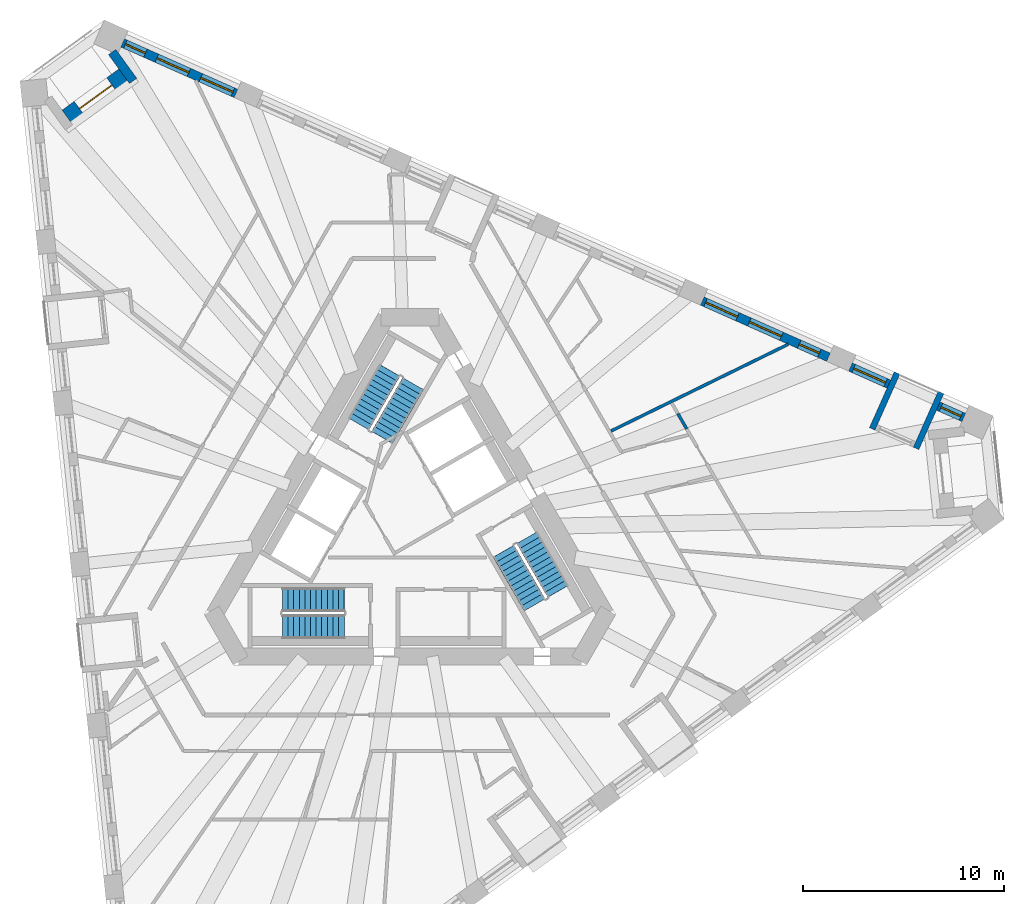
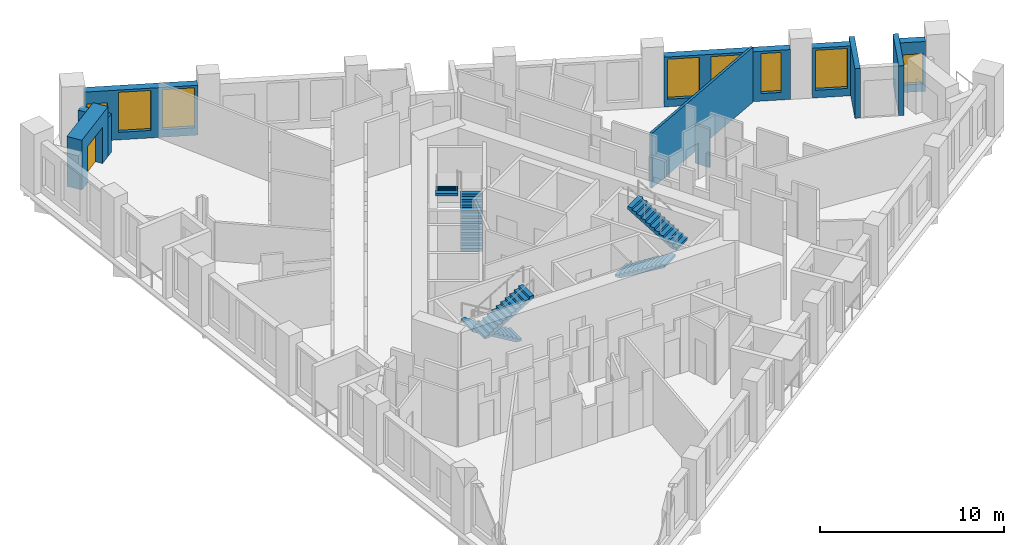
# One storey, part 9 of 14: 10 walls, 8 windows, 6 stair flights, 1 door, 9 openings, 3 elements without a shape of their own.
"""IFC4 building model written with IfcOpenShell, lengths in metres."""

from ifc_helpers import new_model, si_unit, direction, frame, frame_2d, origin, place, context, subcontext, project, spatial, polyline, rectangle, outline, extrude, material, layer, layer_set, type_object, element, fill, aggregate, save


model = new_model("IFC4")

# Units and contexts
model_context = context("Model", 3, precision=1e-05, world=origin(), true_north=direction((0.0, 1.0)))
body_context = subcontext(model_context, "Body", "Model", "MODEL_VIEW")
ifc_project = project(units=[si_unit("LENGTHUNIT", "METRE"), si_unit("AREAUNIT", "SQUARE_METRE"), si_unit("VOLUMEUNIT", "CUBIC_METRE"), si_unit("PLANEANGLEUNIT", "RADIAN"), si_unit("MASSUNIT", "GRAM", prefix="KILO")], contexts=[model_context])

# Site, building, storey
site_placement = place(None, origin())
site = spatial("IfcSite", under=ifc_project, at=site_placement, CompositionType="ELEMENT")
building_placement = place(site_placement, origin())
building = spatial("IfcBuilding", under=site, at=building_placement, Name="Tramontana Tower", CompositionType="ELEMENT")
storey_placement = place(building_placement, frame((0.0, 0.0, 182.800048828125)))
storey = spatial("IfcBuildingStorey", under=building, at=storey_placement, Name="L42", CompositionType="ELEMENT", Elevation=182.800048828125)

# Wall, opening, window
ifc_material_1 = material(Name="Precast concrete 60 MPa", Category="concrete")
ifc_layer_1 = layer(ifc_material_1, 0.449951171875)
ifc_layer_set_1 = layer_set([ifc_layer_1], Name="Precast concrete 60 MPa, 450 mm")
wall_type_1 = type_object("IfcWallType", Name="EW1 Stone-faced precast wall 450", PredefinedType="SOLIDWALL", material=ifc_layer_set_1)
wall_1_placement = place(storey_placement, frame((27.604736328125, 5.57958984375, 0.0), z_axis=(0.0, 0.0, 1.0), x_axis=(-0.913558681389, 0.406706940756, 0.0)))
wall_1 = element("IfcWall", 1, at=wall_1_placement, inside=storey, type_object=wall_type_1, Name="External wall L42 face 2 bay 1", PredefinedType="SOLIDWALL", context=body_context, shape_type="SweptSolid", body=[
    extrude(rectangle(XDim=1.39453125, YDim=0.449951171875, at=frame_2d((0.697265625, 0.0))), origin(), (0.0, 0.0, 1.0), 3.300048828125),
])
opening_1_placement = place(wall_1_placement, frame((0.147216796875, 0.0, 0.5)))
opening_1 = element("IfcOpeningElement", 2, at=opening_1_placement, cuts=wall_1, Name="Opening N2L", PredefinedType="OPENING", context=body_context, shape_type="SweptSolid", body=[
    extrude(rectangle(XDim=1.10009765625, YDim=2.0, at=frame_2d((0.550048828125, 1.0))), frame((0.0, 0.23486328125, 0.0), z_axis=(0.0, -1.0, 0.0), x_axis=(1.0, 0.0, 0.0)), (0.0, 0.0, 1.0), 0.469970703125),
])
ifc_material_2 = material(Name="Aluminum frame, double glazing unit", Category="aluminium")
window_type_1 = type_object("IfcWindowType", Name="N2L Window 1.1 x 2", PartitioningType="SINGLE_PANEL", PredefinedType="WINDOW", material=ifc_material_2)
window_1_placement = place(opening_1_placement, origin())
window_1 = element("IfcWindow", 3, at=window_1_placement, inside=storey, type_object=window_type_1, Name="Window N2L L42 face 2 module 1", OverallHeight=2.0, OverallWidth=1.10009765625, PartitioningType="SINGLE_PANEL", PredefinedType="WINDOW", context=body_context, shape_type="SweptSolid", body=[
    extrude(rectangle(XDim=1.10009765625, YDim=2.0, at=frame_2d((0.550048828125, 1.0))), frame((0.0, 0.030029296875, 0.0), z_axis=(0.0, -1.0, 0.0), x_axis=(1.0, 0.0, 0.0)), (0.0, 0.0, 1.0), 0.06005859375),
])
fill(opening_1, window_1)

wall_2_placement = place(storey_placement, frame((23.86962890625, 7.242431640625, 0.0), z_axis=(0.0, 0.0, 1.0), x_axis=(-0.913513282906, 0.406808901026, 0.0)))
wall_2 = element("IfcWall", 4, at=wall_2_placement, inside=storey, type_object=wall_type_1, Name="External wall L42 face 2 bay 1", PredefinedType="SOLIDWALL", context=body_context, shape_type="SweptSolid", body=[
    extrude(rectangle(XDim=2.094482421875, YDim=0.449951171875, at=frame_2d((1.04736328125, 0.0))), origin(), (0.0, 0.0, 1.0), 3.300048828125),
])
opening_2_placement = place(wall_2_placement, frame((0.172119140625, 0.0, 0.5)))
opening_2 = element("IfcOpeningElement", 5, at=opening_2_placement, cuts=wall_2, Name="Opening M2", PredefinedType="OPENING", context=body_context, shape_type="SweptSolid", body=[
    extrude(rectangle(XDim=1.75, YDim=2.64990234375, at=frame_2d((0.875, 1.324951171875))), frame((0.0, 0.23486328125, 0.0), z_axis=(0.0, -1.0, 0.0), x_axis=(1.0, 0.0, 0.0)), (0.0, 0.0, 1.0), 0.469970703125),
])
ifc_material_3 = material(Name="Aluminum frame, double glazing unit", Category="aluminium")
window_type_2 = type_object("IfcWindowType", Name="M2 Window 1.75 x 2.65", PartitioningType="SINGLE_PANEL", PredefinedType="WINDOW", material=ifc_material_3)
window_2_placement = place(opening_2_placement, origin())
window_2 = element("IfcWindow", 6, at=window_2_placement, inside=storey, type_object=window_type_2, Name="Window M2 L42 face 2 module 3", OverallHeight=2.64990234375, OverallWidth=1.75, PartitioningType="SINGLE_PANEL", PredefinedType="WINDOW", context=body_context, shape_type="SweptSolid", body=[
    extrude(rectangle(XDim=1.75, YDim=2.64990234375, at=frame_2d((0.875, 1.324951171875))), frame((0.0, 0.030029296875, 0.0), z_axis=(0.0, -1.0, 0.0), x_axis=(1.0, 0.0, 0.0)), (0.0, 0.0, 1.0), 0.06005859375),
])
fill(opening_2, window_2)

# Wall, openings, windows
wall_3_placement = place(storey_placement, frame((20.860107421875, 8.58251953125, 0.0), z_axis=(0.0, 0.0, 1.0), x_axis=(-0.913543675585, 0.40674064562, 0.0)))
wall_3 = element("IfcWall", 7, at=wall_3_placement, inside=storey, type_object=wall_type_1, Name="External wall L42 face 2 bay 2", PredefinedType="SOLIDWALL", context=body_context, shape_type="SweptSolid", body=[
    extrude(rectangle(XDim=6.8828125, YDim=0.449951171875, at=frame_2d((3.44140625, 0.0))), origin(), (0.0, 0.0, 1.0), 3.300048828125),
])
opening_3_placement = place(wall_3_placement, frame((0.4970703125, 0.0, 0.5)))
opening_3 = element("IfcOpeningElement", 8, at=opening_3_placement, cuts=wall_3, Name="Opening N2", PredefinedType="OPENING", context=body_context, shape_type="SweptSolid", body=[
    extrude(rectangle(XDim=1.10009765625, YDim=2.64990234375, at=frame_2d((0.550048828125, 1.324951171875))), frame((0.0, 0.23486328125, 0.0), z_axis=(0.0, -1.0, 0.0), x_axis=(1.0, 0.0, 0.0)), (0.0, 0.0, 1.0), 0.469970703125),
])
opening_4_placement = place(wall_3_placement, frame((2.56640625, 0.0, 0.5)))
opening_4 = element("IfcOpeningElement", 9, at=opening_4_placement, cuts=wall_3, Name="Opening M2", PredefinedType="OPENING", context=body_context, shape_type="SweptSolid", body=[
    extrude(rectangle(XDim=1.75, YDim=2.64990234375, at=frame_2d((0.875, 1.324951171875))), frame((0.0, 0.23486328125, 0.0), z_axis=(0.0, -1.0, 0.0), x_axis=(1.0, 0.0, 0.0)), (0.0, 0.0, 1.0), 0.469970703125),
])
opening_5_placement = place(wall_3_placement, frame((4.960693359375, 0.0, 0.5)))
opening_5 = element("IfcOpeningElement", 10, at=opening_5_placement, cuts=wall_3, Name="Opening M2", PredefinedType="OPENING", context=body_context, shape_type="SweptSolid", body=[
    extrude(rectangle(XDim=1.75, YDim=2.64990234375, at=frame_2d((0.875, 1.324951171875))), frame((0.0, 0.23486328125, 0.0), z_axis=(0.0, -1.0, 0.0), x_axis=(1.0, 0.0, 0.0)), (0.0, 0.0, 1.0), 0.469970703125),
])
window_3_placement = place(opening_4_placement, origin())
window_3 = element("IfcWindow", 11, at=window_3_placement, inside=storey, type_object=window_type_2, Name="Window M2 L42 face 2 module 5", OverallHeight=2.64990234375, OverallWidth=1.75, PartitioningType="SINGLE_PANEL", PredefinedType="WINDOW", context=body_context, shape_type="SweptSolid", body=[
    extrude(rectangle(XDim=1.75, YDim=2.64990234375, at=frame_2d((0.875, 1.324951171875))), frame((0.0, 0.030029296875, 0.0), z_axis=(0.0, -1.0, 0.0), x_axis=(1.0, 0.0, 0.0)), (0.0, 0.0, 1.0), 0.06005859375),
])
fill(opening_4, window_3)
window_4_placement = place(opening_5_placement, origin())
window_4 = element("IfcWindow", 12, at=window_4_placement, inside=storey, type_object=window_type_2, Name="Window M2 L42 face 2 module 6", OverallHeight=2.64990234375, OverallWidth=1.75, PartitioningType="SINGLE_PANEL", PredefinedType="WINDOW", context=body_context, shape_type="SweptSolid", body=[
    extrude(rectangle(XDim=1.75, YDim=2.64990234375, at=frame_2d((0.875, 1.324951171875))), frame((0.0, 0.030029296875, 0.0), z_axis=(0.0, -1.0, 0.0), x_axis=(1.0, 0.0, 0.0)), (0.0, 0.0, 1.0), 0.06005859375),
])
fill(opening_5, window_4)
ifc_material_4 = material(Name="Aluminum frame, double glazing unit", Category="aluminium")
window_type_3 = type_object("IfcWindowType", Name="N2 Window 1.1 x 2.65", PartitioningType="SINGLE_PANEL", PredefinedType="WINDOW", material=ifc_material_4)
window_5_placement = place(opening_3_placement, origin())
window_5 = element("IfcWindow", 13, at=window_5_placement, inside=storey, type_object=window_type_3, Name="Window N2 L42 face 2 module 4", OverallHeight=2.64990234375, OverallWidth=1.10009765625, PartitioningType="SINGLE_PANEL", PredefinedType="WINDOW", context=body_context, shape_type="SweptSolid", body=[
    extrude(rectangle(XDim=1.10009765625, YDim=2.64990234375, at=frame_2d((0.550048828125, 1.324951171875))), frame((0.0, 0.030029296875, 0.0), z_axis=(0.0, -1.0, 0.0), x_axis=(1.0, 0.0, 0.0)), (0.0, 0.0, 1.0), 0.06005859375),
])
fill(opening_3, window_5)

wall_4_placement = place(storey_placement, frame((-8.67626953125, 21.73291015625, 0.0), z_axis=(0.0, 0.0, 1.0), x_axis=(-0.913542682641, 0.406742875773, 0.0)))
wall_4 = element("IfcWall", 14, at=wall_4_placement, inside=storey, type_object=wall_type_1, Name="External wall L42 face 2 bay 6", PredefinedType="SOLIDWALL", context=body_context, shape_type="SweptSolid", body=[
    extrude(rectangle(XDim=6.18310546875, YDim=0.449951171875, at=frame_2d((3.091552734375, 0.0))), origin(), (0.0, 0.0, 1.0), 3.300048828125),
])
opening_6_placement = place(wall_4_placement, frame((0.172119140625, 0.0, 0.5)))
opening_6 = element("IfcOpeningElement", 15, at=opening_6_placement, cuts=wall_4, Name="Opening M2", PredefinedType="OPENING", context=body_context, shape_type="SweptSolid", body=[
    extrude(rectangle(XDim=1.75, YDim=2.64990234375, at=frame_2d((0.875, 1.324951171875))), frame((0.0, 0.23486328125, 0.0), z_axis=(0.0, -1.0, 0.0), x_axis=(1.0, 0.0, 0.0)), (0.0, 0.0, 1.0), 0.469970703125),
])
opening_7_placement = place(wall_4_placement, frame((2.56640625, 0.0, 0.5)))
opening_7 = element("IfcOpeningElement", 16, at=opening_7_placement, cuts=wall_4, Name="Opening M2", PredefinedType="OPENING", context=body_context, shape_type="SweptSolid", body=[
    extrude(rectangle(XDim=1.75, YDim=2.64990234375, at=frame_2d((0.875, 1.324951171875))), frame((0.0, 0.23486328125, 0.0), z_axis=(0.0, -1.0, 0.0), x_axis=(1.0, 0.0, 0.0)), (0.0, 0.0, 1.0), 0.469970703125),
])
opening_8_placement = place(wall_4_placement, frame((4.935791015625, 0.0, 0.5)))
opening_8 = element("IfcOpeningElement", 17, at=opening_8_placement, cuts=wall_4, Name="Opening N2L", PredefinedType="OPENING", context=body_context, shape_type="SweptSolid", body=[
    extrude(rectangle(XDim=1.10009765625, YDim=2.0, at=frame_2d((0.550048828125, 1.0))), frame((0.0, 0.23486328125, 0.0), z_axis=(0.0, -1.0, 0.0), x_axis=(1.0, 0.0, 0.0)), (0.0, 0.0, 1.0), 0.469970703125),
])
window_6_placement = place(opening_6_placement, origin())
window_6 = element("IfcWindow", 18, at=window_6_placement, inside=storey, type_object=window_type_2, Name="Window M2 L42 face 2 module 16", OverallHeight=2.64990234375, OverallWidth=1.75, PartitioningType="SINGLE_PANEL", PredefinedType="WINDOW", context=body_context, shape_type="SweptSolid", body=[
    extrude(rectangle(XDim=1.75, YDim=2.64990234375, at=frame_2d((0.875, 1.324951171875))), frame((0.0, 0.030029296875, 0.0), z_axis=(0.0, -1.0, 0.0), x_axis=(1.0, 0.0, 0.0)), (0.0, 0.0, 1.0), 0.06005859375),
])
fill(opening_6, window_6)
window_7_placement = place(opening_7_placement, origin())
window_7 = element("IfcWindow", 19, at=window_7_placement, inside=storey, type_object=window_type_2, Name="Window M2 L42 face 2 module 17", OverallHeight=2.64990234375, OverallWidth=1.75, PartitioningType="SINGLE_PANEL", PredefinedType="WINDOW", context=body_context, shape_type="SweptSolid", body=[
    extrude(rectangle(XDim=1.75, YDim=2.64990234375, at=frame_2d((0.875, 1.324951171875))), frame((0.0, 0.030029296875, 0.0), z_axis=(0.0, -1.0, 0.0), x_axis=(1.0, 0.0, 0.0)), (0.0, 0.0, 1.0), 0.06005859375),
])
fill(opening_7, window_7)
window_8_placement = place(opening_8_placement, origin())
window_8 = element("IfcWindow", 20, at=window_8_placement, inside=storey, type_object=window_type_1, Name="Window N2L L42 face 2 module 18", OverallHeight=2.0, OverallWidth=1.10009765625, PartitioningType="SINGLE_PANEL", PredefinedType="WINDOW", context=body_context, shape_type="SweptSolid", body=[
    extrude(rectangle(XDim=1.10009765625, YDim=2.0, at=frame_2d((0.550048828125, 1.0))), frame((0.0, 0.030029296875, 0.0), z_axis=(0.0, -1.0, 0.0), x_axis=(1.0, 0.0, 0.0)), (0.0, 0.0, 1.0), 0.06005859375),
])
fill(opening_8, window_8)

# Wall
wall_5_placement = place(storey_placement, frame((-14.847900390625, 23.796630859375, 0.0), z_axis=(0.0, 0.0, 1.0), x_axis=(0.587722853316, -0.809062326209, 0.0)))
element("IfcWall", 21, at=wall_5_placement, inside=storey, type_object=wall_type_1, Name="Corner loggia side wall L42 K40r", PredefinedType="SOLIDWALL", context=body_context, shape_type="SweptSolid", body=[
    extrude(rectangle(XDim=1.779052734375, YDim=0.449951171875, at=frame_2d((0.8896484375, 0.0))), origin(), (0.0, 0.0, 1.0), 2.550048828125),
])

# Wall, opening, door
ifc_material_5 = material(Name="Precast concrete 60 MPa", Category="concrete")
ifc_layer_2 = layer(ifc_material_5, 0.89990234375)
ifc_layer_set_2 = layer_set([ifc_layer_2], Name="EW2 Stone-faced corner loggia wall 900")
wall_type_2 = type_object("IfcWallType", Name="EW2 Stone-faced corner loggia wall 900", PredefinedType="SOLIDWALL", material=ifc_layer_set_2)
wall_6_placement = place(storey_placement, frame((-17.080322265625, 20.53173828125, 0.0), z_axis=(0.0, 0.0, 1.0), x_axis=(0.809031597325, 0.587765152531, 0.0)))
wall_6 = element("IfcWall", 22, at=wall_6_placement, inside=storey, type_object=wall_type_2, Name="Corner loggia wall L42 K40", PredefinedType="SOLIDWALL", context=body_context, shape_type="SweptSolid", body=[
    extrude(rectangle(XDim=3.5, YDim=0.89990234375, at=frame_2d((1.75, 0.0))), origin(), (0.0, 0.0, 1.0), 3.300048828125),
])
opening_9_placement = place(wall_6_placement, frame((0.75, 0.0, 0.0)))
opening_9 = element("IfcOpeningElement", 23, at=opening_9_placement, cuts=wall_6, Name="Opening BD-40C", PredefinedType="OPENING", context=body_context, shape_type="SweptSolid", body=[
    extrude(rectangle(XDim=2.0, YDim=2.39990234375, at=frame_2d((1.0, 1.199951171875))), frame((0.0, 0.4599609375, 0.0), z_axis=(0.0, -1.0, 0.0), x_axis=(1.0, 0.0, 0.0)), (0.0, 0.0, 1.0), 0.919921875),
])
ifc_material_6 = material(Name="Aluminum frame, double glazing unit", Category="aluminium")
door_type = type_object("IfcDoorType", Name="BC1 Sliding door 2 x 2.4", OperationType="SLIDING_TO_LEFT", PredefinedType="DOOR", material=ifc_material_6)
door_placement = place(opening_9_placement, origin())
door = element("IfcDoor", 24, at=door_placement, inside=storey, type_object=door_type, Name="Corner loggia door L42 K40", OperationType="SLIDING_TO_LEFT", OverallHeight=2.39990234375, OverallWidth=2.0, PredefinedType="DOOR", context=body_context, shape_type="SweptSolid", body=[
    extrude(rectangle(XDim=2.0, YDim=2.39990234375, at=frame_2d((1.0, 1.199951171875))), frame((0.0, 0.02490234375, 0.0), z_axis=(0.0, -1.0, 0.0), x_axis=(1.0, 0.0, 0.0)), (0.0, 0.0, 1.0), 0.050048828125),
])
fill(opening_9, door)

# Walls
ifc_material_7 = material(Name="Precast concrete 60 MPa", Category="concrete")
ifc_layer_3 = layer(ifc_material_7, 0.300048828125)
ifc_layer_set_3 = layer_set([ifc_layer_3], Name="LW1 Stone-faced loggia wall 300")
wall_type_3 = type_object("IfcWallType", Name="LW1 Stone-faced loggia wall 300", PredefinedType="SOLIDWALL", material=ifc_layer_set_3)
for number, where, z_axis, x_axis, name in (
    (25, (26.468505859375, 6.82421875, 0.0), (0.0, 0.0, 1.0), (-0.406806804169, -0.913514216683, 0.0), "Loggia return L42 G4S2.1a"),
    (26, (24.281005859375, 7.798095703125, 0.0), (0.0, 0.0, 1.0), (-0.406739999721, -0.91354396316, 0.0), "Loggia return L42 G4S2.1b"),
):
    element("IfcWall", number, at=place(storey_placement, frame(where, z_axis=z_axis, x_axis=x_axis)), inside=storey, type_object=wall_type_3, Name=name, PredefinedType="SOLIDWALL", context=body_context, shape_type="SweptSolid", body=[
        extrude(rectangle(XDim=3.0498046875, YDim=0.300048828125, at=frame_2d((1.52490234375, 0.0))), origin(), (0.0, 0.0, 1.0), 3.300048828125),
    ])
ifc_material_8 = material(Name="Gypsum board partition")
ifc_layer_4 = layer(ifc_material_8, 0.14990234375)
ifc_layer_set_4 = layer_set([ifc_layer_4], Name="PARTITION 150")
wall_type_4 = type_object("IfcWallType", Name="PARTITION 150", PredefinedType="PARTITIONING", material=ifc_layer_set_4)
wall_7_placement = place(storey_placement, frame((10.015869140625, 4.902099609375, 0.0), z_axis=(0.0, 0.0, 1.0), x_axis=(0.898175873885, 0.439636326492, 0.0)))
element("IfcWall", 27, at=wall_7_placement, inside=storey, type_object=wall_type_4, Name="Wall v41-pw41", PredefinedType="PARTITIONING", context=body_context, shape_type="SweptSolid", body=[
    extrude(rectangle(XDim=9.841552734375, YDim=0.14990234375, at=frame_2d((4.9208984375, 0.0))), origin(), (0.0, 0.0, 1.0), 3.64990234375),
])
wall_8_placement = place(storey_placement, frame((13.3505859375, 5.7763671875, 0.0), z_axis=(0.0, 0.0, 1.0), x_axis=(0.499969398072, -0.866043071095, 0.0)))
element("IfcWall", 28, at=wall_8_placement, inside=storey, type_object=wall_type_4, Name="Wall v41-pw44-1", PredefinedType="PARTITIONING", context=body_context, shape_type="SweptSolid", body=[
    extrude(rectangle(XDim=0.88427734375, YDim=0.14990234375, at=frame_2d((0.442138671875, 0.0))), origin(), (0.0, 0.0, 1.0), 2.550048828125),
])

# Stair, stair flights
ifc_material_9 = material(Name="Concrete 40 MPa", Category="concrete")
stair_type = type_object("IfcStairType", Name="EXIT STAIR 24 RISERS", PredefinedType="HALF_TURN_STAIR", material=ifc_material_9)
stair_1_placement = place(storey_placement, origin())
stair_1 = element("IfcStair", 29, at=stair_1_placement, inside=storey, type_object=stair_type, Name="L42 Exit stair ST1", PredefinedType="HALF_TURN_STAIR")
ifc_material_10 = material(Name="Concrete 40 MPa", Category="concrete")
ifc_layer_5 = layer(ifc_material_10, 0.14990234375)
ifc_layer_set_5 = layer_set([ifc_layer_5], Name="EXIT STAIR FLIGHT")
stair_flight_type = type_object("IfcStairFlightType", Name="EXIT STAIR FLIGHT", PredefinedType="STRAIGHT", material=ifc_layer_set_5)
stair_flight_1_placement = place(storey_placement, frame((-1.39111328125, 4.590576171875, 0.0), z_axis=(0.0, 0.0, 1.0), x_axis=(0.5, 0.866025403784, 0.0)))
stair_flight_1 = element("IfcStairFlight", 30, at=stair_flight_1_placement, type_object=stair_flight_type, Name="ST1 flight 1", NumberOfRisers=12, NumberOfTreads=11, PredefinedType="STRAIGHT", RiserHeight=0.166666667, TreadLength=0.28, context=body_context, shape_type="SweptSolid", body=[
    extrude(outline(polyline([(-0.006103515625, 0.0), (-0.006103515625, 0.0400390625), (0.0, 0.0400390625), (0.0, 0.166748046875), (0.280029296875, 0.166748046875), (0.280029296875, 0.333251953125), (0.56005859375, 0.333251953125), (0.56005859375, 0.5), (0.840087890625, 0.5), (0.840087890625, 0.666748046875), (1.1201171875, 0.666748046875), (1.1201171875, 0.833251953125), (1.39990234375, 0.833251953125), (1.39990234375, 1.0), (1.679931640625, 1.0), (1.679931640625, 1.166748046875), (1.9599609375, 1.166748046875), (1.9599609375, 1.333251953125), (2.239990234375, 1.333251953125), (2.239990234375, 1.5), (2.52001953125, 1.5), (2.52001953125, 1.666748046875), (2.800048828125, 1.666748046875), (2.800048828125, 1.833251953125), (3.080078125, 1.833251953125), (3.0859375, 1.833251953125), (3.0859375, 1.658935546875), (0.299072265625, 0.0), (-0.006103515625, 0.0)])), frame((0.0, 0.60009765625, 0.0), z_axis=(0.0, -1.0, 0.0), x_axis=(1.0, 0.0, 0.0)), (0.0, 0.0, 1.0), 1.199951171875),
])
stair_flight_2_placement = place(storey_placement, frame((-1.020263671875, 7.932861328125, 2.0), z_axis=(0.0, 0.0, 1.0), x_axis=(-0.5, -0.866025403784, 0.0)))
stair_flight_2 = element("IfcStairFlight", 31, at=stair_flight_2_placement, type_object=stair_flight_type, Name="ST1 flight 2", NumberOfRisers=12, NumberOfTreads=11, PredefinedType="STRAIGHT", RiserHeight=0.166666667, TreadLength=0.28, context=body_context, shape_type="SweptSolid", body=[
    extrude(outline(polyline([(-0.006103515625, 0.0), (-0.006103515625, 0.0400390625), (0.0, 0.0400390625), (0.0, 0.166748046875), (0.280029296875, 0.166748046875), (0.280029296875, 0.333251953125), (0.56005859375, 0.333251953125), (0.56005859375, 0.5), (0.840087890625, 0.5), (0.840087890625, 0.666748046875), (1.1201171875, 0.666748046875), (1.1201171875, 0.833251953125), (1.39990234375, 0.833251953125), (1.39990234375, 1.0), (1.679931640625, 1.0), (1.679931640625, 1.166748046875), (1.9599609375, 1.166748046875), (1.9599609375, 1.333251953125), (2.239990234375, 1.333251953125), (2.239990234375, 1.5), (2.52001953125, 1.5), (2.52001953125, 1.666748046875), (2.800048828125, 1.666748046875), (2.800048828125, 1.833251953125), (3.080078125, 1.833251953125), (3.0859375, 1.833251953125), (3.0859375, 1.658935546875), (0.299072265625, 0.0), (-0.006103515625, 0.0)])), frame((0.0, 0.60009765625, 0.0), z_axis=(0.0, -1.0, 0.0), x_axis=(1.0, 0.0, 0.0)), (0.0, 0.0, 1.0), 1.199951171875),
])
aggregate(stair_1, [stair_flight_1, stair_flight_2])

stair_2_placement = place(storey_placement, origin())
stair_2 = element("IfcStair", 32, at=stair_2_placement, inside=storey, type_object=stair_type, Name="L42 Exit stair ST2", PredefinedType="HALF_TURN_STAIR")
stair_flight_3_placement = place(storey_placement, frame((-3.280029296875, -3.5, 0.0), z_axis=(0.0, 0.0, 1.0), x_axis=(-1.0, 0.0, 0.0)))
stair_flight_3 = element("IfcStairFlight", 33, at=stair_flight_3_placement, type_object=stair_flight_type, Name="ST2 flight 1", NumberOfRisers=12, NumberOfTreads=11, PredefinedType="STRAIGHT", RiserHeight=0.166666667, TreadLength=0.28, context=body_context, shape_type="SweptSolid", body=[
    extrude(outline(polyline([(-0.006103515625, 0.0), (-0.006103515625, 0.0400390625), (0.0, 0.0400390625), (0.0, 0.166748046875), (0.280029296875, 0.166748046875), (0.280029296875, 0.333251953125), (0.56005859375, 0.333251953125), (0.56005859375, 0.5), (0.840087890625, 0.5), (0.840087890625, 0.666748046875), (1.1201171875, 0.666748046875), (1.1201171875, 0.833251953125), (1.39990234375, 0.833251953125), (1.39990234375, 1.0), (1.679931640625, 1.0), (1.679931640625, 1.166748046875), (1.9599609375, 1.166748046875), (1.9599609375, 1.333251953125), (2.239990234375, 1.333251953125), (2.239990234375, 1.5), (2.52001953125, 1.5), (2.52001953125, 1.666748046875), (2.800048828125, 1.666748046875), (2.800048828125, 1.833251953125), (3.080078125, 1.833251953125), (3.0859375, 1.833251953125), (3.0859375, 1.658935546875), (0.299072265625, 0.0), (-0.006103515625, 0.0)])), frame((0.0, 0.60009765625, 0.0), z_axis=(0.0, -1.0, 0.0), x_axis=(1.0, 0.0, 0.0)), (0.0, 0.0, 1.0), 1.199951171875),
])
stair_flight_4_placement = place(storey_placement, frame((-6.360107421875, -4.85009765625, 2.0), z_axis=(0.0, 0.0, 1.0), x_axis=(1.0, 0.0, 0.0)))
stair_flight_4 = element("IfcStairFlight", 34, at=stair_flight_4_placement, type_object=stair_flight_type, Name="ST2 flight 2", NumberOfRisers=12, NumberOfTreads=11, PredefinedType="STRAIGHT", RiserHeight=0.166666667, TreadLength=0.28, context=body_context, shape_type="SweptSolid", body=[
    extrude(outline(polyline([(-0.006103515625, 0.0), (-0.006103515625, 0.0400390625), (0.0, 0.0400390625), (0.0, 0.166748046875), (0.280029296875, 0.166748046875), (0.280029296875, 0.333251953125), (0.56005859375, 0.333251953125), (0.56005859375, 0.5), (0.840087890625, 0.5), (0.840087890625, 0.666748046875), (1.1201171875, 0.666748046875), (1.1201171875, 0.833251953125), (1.39990234375, 0.833251953125), (1.39990234375, 1.0), (1.679931640625, 1.0), (1.679931640625, 1.166748046875), (1.9599609375, 1.166748046875), (1.9599609375, 1.333251953125), (2.239990234375, 1.333251953125), (2.239990234375, 1.5), (2.52001953125, 1.5), (2.52001953125, 1.666748046875), (2.800048828125, 1.666748046875), (2.800048828125, 1.833251953125), (3.080078125, 1.833251953125), (3.0859375, 1.833251953125), (3.0859375, 1.658935546875), (0.299072265625, 0.0), (-0.006103515625, 0.0)])), frame((0.0, 0.60009765625, 0.0), z_axis=(0.0, -1.0, 0.0), x_axis=(1.0, 0.0, 0.0)), (0.0, 0.0, 1.0), 1.199951171875),
])
aggregate(stair_2, [stair_flight_3, stair_flight_4])

stair_3_placement = place(storey_placement, origin())
stair_3 = element("IfcStair", 35, at=stair_3_placement, inside=storey, type_object=stair_type, Name="L42 Exit stair ST3", PredefinedType="HALF_TURN_STAIR")
stair_flight_5_placement = place(storey_placement, frame((4.671142578125, -1.090576171875, 0.0), z_axis=(0.0, 0.0, 1.0), x_axis=(0.5, -0.866025403784, 0.0)))
stair_flight_5 = element("IfcStairFlight", 36, at=stair_flight_5_placement, type_object=stair_flight_type, Name="ST3 flight 1", NumberOfRisers=12, NumberOfTreads=11, PredefinedType="STRAIGHT", RiserHeight=0.166666667, TreadLength=0.28, context=body_context, shape_type="SweptSolid", body=[
    extrude(outline(polyline([(-0.006103515625, 0.0), (-0.006103515625, 0.0400390625), (0.0, 0.0400390625), (0.0, 0.166748046875), (0.280029296875, 0.166748046875), (0.280029296875, 0.333251953125), (0.56005859375, 0.333251953125), (0.56005859375, 0.5), (0.840087890625, 0.5), (0.840087890625, 0.666748046875), (1.1201171875, 0.666748046875), (1.1201171875, 0.833251953125), (1.39990234375, 0.833251953125), (1.39990234375, 1.0), (1.679931640625, 1.0), (1.679931640625, 1.166748046875), (1.9599609375, 1.166748046875), (1.9599609375, 1.333251953125), (2.239990234375, 1.333251953125), (2.239990234375, 1.5), (2.52001953125, 1.5), (2.52001953125, 1.666748046875), (2.800048828125, 1.666748046875), (2.800048828125, 1.833251953125), (3.080078125, 1.833251953125), (3.0859375, 1.833251953125), (3.0859375, 1.658935546875), (0.299072265625, 0.0), (-0.006103515625, 0.0)])), frame((0.0, 0.60009765625, 0.0), z_axis=(0.0, -1.0, 0.0), x_axis=(1.0, 0.0, 0.0)), (0.0, 0.0, 1.0), 1.199951171875),
])
stair_flight_6_placement = place(storey_placement, frame((7.380126953125, -3.0830078125, 2.0), z_axis=(0.0, 0.0, 1.0), x_axis=(-0.5, 0.866025403784, 0.0)))
stair_flight_6 = element("IfcStairFlight", 37, at=stair_flight_6_placement, type_object=stair_flight_type, Name="ST3 flight 2", NumberOfRisers=12, NumberOfTreads=11, PredefinedType="STRAIGHT", RiserHeight=0.166666667, TreadLength=0.28, context=body_context, shape_type="SweptSolid", body=[
    extrude(outline(polyline([(-0.006103515625, 0.0), (-0.006103515625, 0.0400390625), (0.0, 0.0400390625), (0.0, 0.166748046875), (0.280029296875, 0.166748046875), (0.280029296875, 0.333251953125), (0.56005859375, 0.333251953125), (0.56005859375, 0.5), (0.840087890625, 0.5), (0.840087890625, 0.666748046875), (1.1201171875, 0.666748046875), (1.1201171875, 0.833251953125), (1.39990234375, 0.833251953125), (1.39990234375, 1.0), (1.679931640625, 1.0), (1.679931640625, 1.166748046875), (1.9599609375, 1.166748046875), (1.9599609375, 1.333251953125), (2.239990234375, 1.333251953125), (2.239990234375, 1.5), (2.52001953125, 1.5), (2.52001953125, 1.666748046875), (2.800048828125, 1.666748046875), (2.800048828125, 1.833251953125), (3.080078125, 1.833251953125), (3.0859375, 1.833251953125), (3.0859375, 1.658935546875), (0.299072265625, 0.0), (-0.006103515625, 0.0)])), frame((0.0, 0.60009765625, 0.0), z_axis=(0.0, -1.0, 0.0), x_axis=(1.0, 0.0, 0.0)), (0.0, 0.0, 1.0), 1.199951171875),
])
aggregate(stair_3, [stair_flight_5, stair_flight_6])

save(model, "model.ifc")
